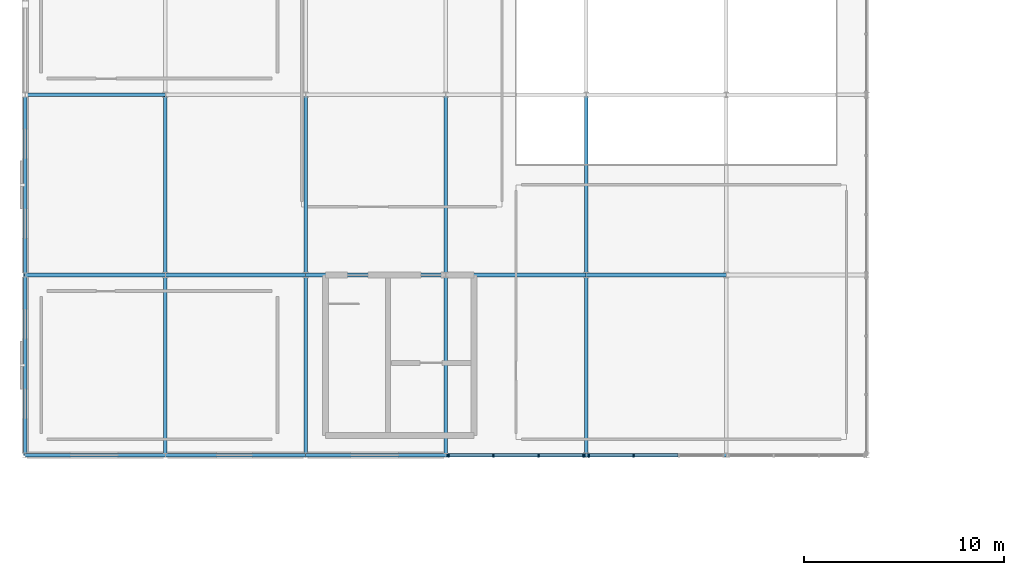
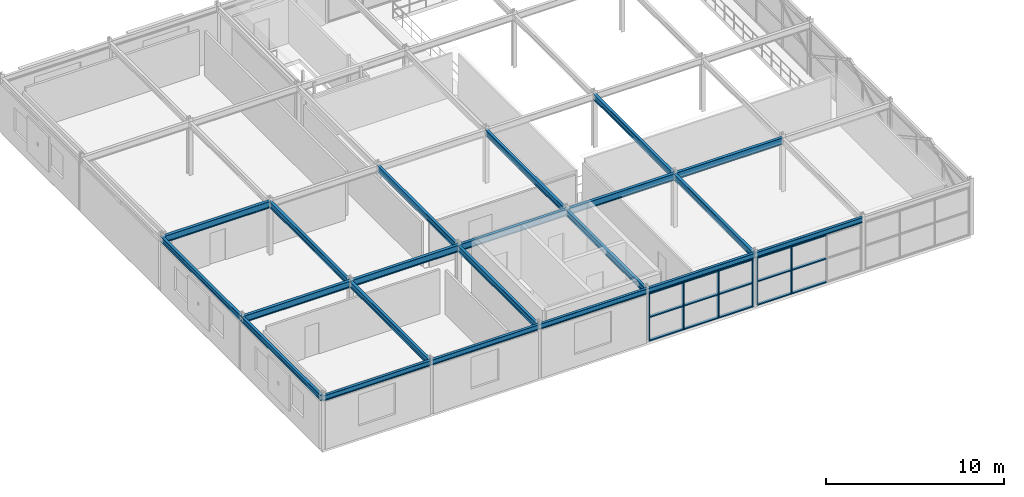
# One storey, part 38 of 98: 21 beams, 21 members, 2 elements without a shape of their own.
"""IFC4 building model written with IfcOpenShell, lengths in metres."""

from ifc_helpers import new_model, si_unit, derived_unit, direction, frame, origin, origin_2d_with_axis, place, context, subcontext, project, spatial, rectangle, i_section, extrude, material, material_profile, profile_set, type_object, element, aggregate, save


model = new_model("IFC4")

# Units and contexts
model_context = context("Model", 3, precision=1e-05, world=origin(), true_north=direction((0.0, 1.0)))
body_context = subcontext(model_context, "Body", "Model", "MODEL_VIEW")
ifc_project = project(units=[si_unit("LENGTHUNIT", "METRE"), si_unit("AREAUNIT", "SQUARE_METRE"), si_unit("VOLUMEUNIT", "CUBIC_METRE"), si_unit("PLANEANGLEUNIT", "RADIAN"), si_unit("MASSUNIT", "GRAM", prefix="KILO"), derived_unit("THERMALTRANSMITTANCEUNIT", [(si_unit("POWERUNIT", "WATT"), 1), (si_unit("LENGTHUNIT", "METRE"), -2), (si_unit("THERMODYNAMICTEMPERATUREUNIT", "KELVIN"), -1)])], contexts=[model_context])

# Site, building, storey
site_placement = place(None, origin())
site = spatial("IfcSite", under=ifc_project, at=site_placement, CompositionType="ELEMENT")
building_placement = place(site_placement, origin())
building = spatial("IfcBuilding", under=site, at=building_placement, Name="Cinnabar Yard Market Hall", CompositionType="ELEMENT")
storey_placement = place(building_placement, frame((0.0, 0.0, 4.5)))
storey = spatial("IfcBuildingStorey", under=building, at=storey_placement, Name="L01", CompositionType="ELEMENT", Elevation=4.5)

# Beams
ifc_material_1 = material(Name="Steel Grade 300 (300 MPa)", Category="steel")
ifc_material_profile_1 = material_profile(ifc_material_1, i_section(OverallWidth=0.18994140625, OverallDepth=0.453857421875, WebThickness=0.008544921875, FlangeThickness=0.0126953125, FilletRadius=0.011474609375, at=origin_2d_with_axis()), Name="460UB67.1")
ifc_profile_set_1 = profile_set([ifc_material_profile_1], Name="Steel Grade 300 (300 MPa)")
beam_type_1 = type_object("IfcBeamType", Name="BM-B05", PredefinedType="BEAM", material=ifc_profile_set_1)
for number, where, z_axis, x_axis, name in (
    (1, (10.0, 57.0, 3.423095703125), (1.0, 0.0, 0.0), (0.0, 1.0, 0.0), "V2 L01 Girder X 00708"),
    (2, (10.0, 66.0, 3.423095703125), (1.0, 0.0, 0.0), (0.0, 1.0, 0.0), "V2 L01 Girder X 00709"),
    (3, (17.0, 57.0, 3.423095703125), (1.0, 0.0, 0.0), (0.0, 1.0, 0.0), "V2 L01 Girder X 00713"),
    (4, (24.0, 57.0, 3.423095703125), (1.0, 0.0, 0.0), (0.0, 1.0, 0.0), "V2 L01 Girder X 00718"),
    (5, (31.0, 57.0, 3.423095703125), (1.0, 0.0, 0.0), (0.0, 1.0, 0.0), "V2 L01 Girder X 00723"),
    (6, (38.0, 57.0, 3.423095703125), (1.0, 0.0, 0.0), (0.0, 1.0, 0.0), "V2 L01 Girder X 00728"),
):
    element("IfcBeam", number, at=place(storey_placement, frame(where, z_axis=z_axis, x_axis=x_axis)), inside=storey, type_object=beam_type_1, Name=name, PredefinedType="BEAM", context=body_context, shape_type="SweptSolid", body=[
        extrude(i_section(OverallWidth=0.18994140625, OverallDepth=0.453857421875, WebThickness=0.008544921875, FlangeThickness=0.0126953125, FilletRadius=0.011474609375, at=origin_2d_with_axis()), origin(), (0.0, 0.0, 1.0), 7.0),
    ])
ifc_material_profile_2 = material_profile(ifc_material_1, i_section(OverallWidth=0.177978515625, OverallDepth=0.406494140625, WebThickness=0.0078125, FlangeThickness=0.0126953125, FilletRadius=0.011474609375, at=origin_2d_with_axis()), Name="410UB59.7")
ifc_profile_set_2 = profile_set([ifc_material_profile_2], Name="Steel Grade 300 (300 MPa)")
beam_type_2 = type_object("IfcBeamType", Name="BM-B06", PredefinedType="BEAM", material=ifc_profile_set_2)
for number, where, z_axis, x_axis, name in (
    (7, (17.0, 48.0, 3.44677734375), (0.0, 1.0, 0.0), (-1.0, 0.0, 0.0), "V2 L01 Girder Y 00741"),
    (8, (17.0, 57.0, 3.44677734375), (0.0, 1.0, 0.0), (-1.0, 0.0, 0.0), "V2 L01 Girder Y 00742"),
    (9, (24.0, 48.0, 3.44677734375), (0.0, 1.0, 0.0), (-1.0, 0.0, 0.0), "V2 L01 Girder Y 00745"),
    (10, (24.0, 57.0, 3.44677734375), (0.0, 1.0, 0.0), (-1.0, 0.0, 0.0), "V2 L01 Girder Y 00746"),
    (11, (31.0, 48.0, 3.44677734375), (0.0, 1.0, 0.0), (-1.0, 0.0, 0.0), "V2 L01 Girder Y 00749"),
    (12, (31.0, 57.0, 3.44677734375), (0.0, 1.0, 0.0), (-1.0, 0.0, 0.0), "V2 L01 Girder Y 00750"),
    (13, (38.0, 48.0, 3.44677734375), (0.0, 1.0, 0.0), (-1.0, 0.0, 0.0), "V2 L01 Girder Y 00753"),
    (14, (38.0, 57.0, 3.44677734375), (0.0, 1.0, 0.0), (-1.0, 0.0, 0.0), "V2 L01 Girder Y 00754"),
):
    element("IfcBeam", number, at=place(storey_placement, frame(where, z_axis=z_axis, x_axis=x_axis)), inside=storey, type_object=beam_type_2, Name=name, PredefinedType="BEAM", context=body_context, shape_type="SweptSolid", body=[
        extrude(i_section(OverallWidth=0.177978515625, OverallDepth=0.406494140625, WebThickness=0.0078125, FlangeThickness=0.0126953125, FilletRadius=0.011474609375, at=origin_2d_with_axis()), origin(), (0.0, 0.0, 1.0), 9.0),
    ])
ifc_material_profile_3 = material_profile(ifc_material_1, i_section(OverallWidth=0.172119140625, OverallDepth=0.358642578125, WebThickness=0.008056640625, FlangeThickness=0.012939453125, FilletRadius=0.011474609375, at=origin_2d_with_axis()), Name="360UB56.7")
ifc_profile_set_3 = profile_set([ifc_material_profile_3], Name="Steel Grade 300 (300 MPa)")
beam_type_3 = type_object("IfcBeamType", Name="BM-SP02E", PredefinedType="SPANDREL", material=ifc_profile_set_3)
for number, where, z_axis, x_axis, name in (
    (15, (10.0, 48.0, 3.470703125), (1.0, 0.0, 0.0), (0.0, 1.0, 0.0), "V2 L01 Girder X 00707"),
    (16, (17.0, 48.0, 3.470703125), (1.0, 0.0, 0.0), (0.0, 1.0, 0.0), "V2 L01 Girder X 00712"),
    (17, (24.0, 48.0, 3.470703125), (1.0, 0.0, 0.0), (0.0, 1.0, 0.0), "V2 L01 Girder X 00717"),
    (18, (31.0, 48.0, 3.470703125), (1.0, 0.0, 0.0), (0.0, 1.0, 0.0), "V2 L01 Girder X 00722"),
    (19, (38.0, 48.0, 3.470703125), (1.0, 0.0, 0.0), (0.0, 1.0, 0.0), "V2 L01 Girder X 00727"),
):
    element("IfcBeam", number, at=place(storey_placement, frame(where, z_axis=z_axis, x_axis=x_axis)), inside=storey, type_object=beam_type_3, Name=name, PredefinedType="SPANDREL", context=body_context, shape_type="SweptSolid", body=[
        extrude(i_section(OverallWidth=0.172119140625, OverallDepth=0.358642578125, WebThickness=0.008056640625, FlangeThickness=0.012939453125, FilletRadius=0.011474609375, at=origin_2d_with_axis()), origin(), (0.0, 0.0, 1.0), 7.0),
    ])
for number, where, z_axis, x_axis, name in (
    (20, (10.0, 48.0, 3.470703125), (0.0, 1.0, 0.0), (-1.0, 0.0, 0.0), "V2 L01 Girder Y 00737"),
    (21, (10.0, 57.0, 3.470703125), (0.0, 1.0, 0.0), (-1.0, 0.0, 0.0), "V2 L01 Girder Y 00738"),
):
    element("IfcBeam", number, at=place(storey_placement, frame(where, z_axis=z_axis, x_axis=x_axis)), inside=storey, type_object=beam_type_3, Name=name, PredefinedType="SPANDREL", context=body_context, shape_type="SweptSolid", body=[
        extrude(i_section(OverallWidth=0.172119140625, OverallDepth=0.358642578125, WebThickness=0.008056640625, FlangeThickness=0.012939453125, FilletRadius=0.011474609375, at=origin_2d_with_axis()), origin(), (0.0, 0.0, 1.0), 9.0),
    ])

# Curtain wall, members
ifc_material_2 = material(Name="Anodised bronze aluminium courtyard facade", Category="aluminium")
curtain_wall_type = type_object("IfcCurtainWallType", Name="CW-CWF068x33", PredefinedType="NOTDEFINED", material=ifc_material_2)
curtain_wall_1_placement = place(storey_placement, origin())
curtain_wall_1 = element("IfcCurtainWall", 22, at=curtain_wall_1_placement, inside=storey, type_object=curtain_wall_type, Name="Pavilion South Glazed Arcade L01 Bay 4", PredefinedType="NOTDEFINED")
ifc_material_3 = material(Name="Anodised bronze aluminium", Category="aluminium")
ifc_material_profile_4 = material_profile(ifc_material_3, rectangle(XDim=0.179931640625, YDim=0.074951171875, at=origin_2d_with_axis()), Name="MUL-CWF")
ifc_profile_set_4 = profile_set([ifc_material_profile_4], Name="Anodised bronze aluminium")
member_type_1 = type_object("IfcMemberType", Name="CWM-CWF", PredefinedType="MULLION", material=ifc_profile_set_4)
member_1_placement = place(storey_placement, frame((31.137451171875, 48.0, 0.0), z_axis=(0.0, 0.0, 1.0), x_axis=(0.0, 1.0, 0.0)))
member_1 = element("IfcMember", 23, at=member_1_placement, type_object=member_type_1, Name="CWF068x33 mullion 1", PredefinedType="MULLION", context=body_context, shape_type="SweptSolid", body=[
    extrude(rectangle(XDim=0.179931640625, YDim=0.074951171875, at=origin_2d_with_axis()), origin(), (0.0, 0.0, 1.0), 3.2900390625),
])
member_2_placement = place(storey_placement, frame((33.36669921875, 48.0, 0.0), z_axis=(0.0, 0.0, 1.0), x_axis=(0.0, 1.0, 0.0)))
member_2 = element("IfcMember", 24, at=member_2_placement, type_object=member_type_1, Name="CWF068x33 mullion 2", PredefinedType="MULLION", context=body_context, shape_type="SweptSolid", body=[
    extrude(rectangle(XDim=0.179931640625, YDim=0.074951171875, at=origin_2d_with_axis()), origin(), (0.0, 0.0, 1.0), 3.2900390625),
])
member_3_placement = place(storey_placement, frame((35.63330078125, 48.0, 0.0), z_axis=(0.0, 0.0, 1.0), x_axis=(0.0, 1.0, 0.0)))
member_3 = element("IfcMember", 25, at=member_3_placement, type_object=member_type_1, Name="CWF068x33 mullion 3", PredefinedType="MULLION", context=body_context, shape_type="SweptSolid", body=[
    extrude(rectangle(XDim=0.179931640625, YDim=0.074951171875, at=origin_2d_with_axis()), origin(), (0.0, 0.0, 1.0), 3.2900390625),
])
member_4_placement = place(storey_placement, frame((37.862548828125, 48.0, 0.0), z_axis=(0.0, 0.0, 1.0), x_axis=(0.0, 1.0, 0.0)))
member_4 = element("IfcMember", 26, at=member_4_placement, type_object=member_type_1, Name="CWF068x33 mullion 4", PredefinedType="MULLION", context=body_context, shape_type="SweptSolid", body=[
    extrude(rectangle(XDim=0.179931640625, YDim=0.074951171875, at=origin_2d_with_axis()), origin(), (0.0, 0.0, 1.0), 3.2900390625),
])

curtain_wall_2_placement = place(storey_placement, origin())
curtain_wall_2 = element("IfcCurtainWall", 27, at=curtain_wall_2_placement, inside=storey, type_object=curtain_wall_type, Name="Pavilion South Glazed Arcade L01 Bay 5", PredefinedType="NOTDEFINED")
member_5_placement = place(storey_placement, frame((38.137451171875, 48.0, 0.0), z_axis=(0.0, 0.0, 1.0), x_axis=(0.0, 1.0, 0.0)))
member_5 = element("IfcMember", 28, at=member_5_placement, type_object=member_type_1, Name="CWF068x33 mullion 1", PredefinedType="MULLION", context=body_context, shape_type="SweptSolid", body=[
    extrude(rectangle(XDim=0.179931640625, YDim=0.074951171875, at=origin_2d_with_axis()), origin(), (0.0, 0.0, 1.0), 3.2900390625),
])
member_6_placement = place(storey_placement, frame((40.36669921875, 48.0, 0.0), z_axis=(0.0, 0.0, 1.0), x_axis=(0.0, 1.0, 0.0)))
member_6 = element("IfcMember", 29, at=member_6_placement, type_object=member_type_1, Name="CWF068x33 mullion 2", PredefinedType="MULLION", context=body_context, shape_type="SweptSolid", body=[
    extrude(rectangle(XDim=0.179931640625, YDim=0.074951171875, at=origin_2d_with_axis()), origin(), (0.0, 0.0, 1.0), 3.2900390625),
])

# Member
ifc_material_profile_5 = material_profile(ifc_material_3, rectangle(XDim=0.179931640625, YDim=0.074951171875, at=origin_2d_with_axis()), Name="TRN-CWF")
ifc_profile_set_5 = profile_set([ifc_material_profile_5], Name="Anodised bronze aluminium")
member_type_2 = type_object("IfcMemberType", Name="CWT-CWF", PredefinedType="USERDEFINED", material=ifc_profile_set_5)
member_7_placement = place(storey_placement, frame((31.175048828125, 48.0, 0.03759765625), z_axis=(1.0, 0.0, 0.0), x_axis=(0.0, 1.0, 0.0)))
member_7 = element("IfcMember", 30, at=member_7_placement, type_object=member_type_2, Name="CWF068x33 transom 1.1", ObjectType="TRANSOM", PredefinedType="USERDEFINED", context=body_context, shape_type="SweptSolid", body=[
    extrude(rectangle(XDim=0.179931640625, YDim=0.074951171875, at=origin_2d_with_axis()), origin(), (0.0, 0.0, 1.0), 2.154052734375),
])

member_8_placement = place(storey_placement, frame((31.175048828125, 48.0, 1.64501953125), z_axis=(1.0, 0.0, 0.0), x_axis=(0.0, 1.0, 0.0)))
member_8 = element("IfcMember", 31, at=member_8_placement, type_object=member_type_2, Name="CWF068x33 transom 1.2", ObjectType="TRANSOM", PredefinedType="USERDEFINED", context=body_context, shape_type="SweptSolid", body=[
    extrude(rectangle(XDim=0.179931640625, YDim=0.074951171875, at=origin_2d_with_axis()), origin(), (0.0, 0.0, 1.0), 2.154052734375),
])

member_9_placement = place(storey_placement, frame((31.175048828125, 48.0, 3.25244140625), z_axis=(1.0, 0.0, 0.0), x_axis=(0.0, 1.0, 0.0)))
member_9 = element("IfcMember", 32, at=member_9_placement, type_object=member_type_2, Name="CWF068x33 transom 1.3", ObjectType="TRANSOM", PredefinedType="USERDEFINED", context=body_context, shape_type="SweptSolid", body=[
    extrude(rectangle(XDim=0.179931640625, YDim=0.074951171875, at=origin_2d_with_axis()), origin(), (0.0, 0.0, 1.0), 2.154052734375),
])

member_10_placement = place(storey_placement, frame((33.404052734375, 48.0, 0.03759765625), z_axis=(1.0, 0.0, 0.0), x_axis=(0.0, 1.0, 0.0)))
member_10 = element("IfcMember", 33, at=member_10_placement, type_object=member_type_2, Name="CWF068x33 transom 2.1", ObjectType="TRANSOM", PredefinedType="USERDEFINED", context=body_context, shape_type="SweptSolid", body=[
    extrude(rectangle(XDim=0.179931640625, YDim=0.074951171875, at=origin_2d_with_axis()), origin(), (0.0, 0.0, 1.0), 2.19189453125),
])

member_11_placement = place(storey_placement, frame((33.404052734375, 48.0, 1.64501953125), z_axis=(1.0, 0.0, 0.0), x_axis=(0.0, 1.0, 0.0)))
member_11 = element("IfcMember", 34, at=member_11_placement, type_object=member_type_2, Name="CWF068x33 transom 2.2", ObjectType="TRANSOM", PredefinedType="USERDEFINED", context=body_context, shape_type="SweptSolid", body=[
    extrude(rectangle(XDim=0.179931640625, YDim=0.074951171875, at=origin_2d_with_axis()), origin(), (0.0, 0.0, 1.0), 2.19189453125),
])

member_12_placement = place(storey_placement, frame((33.404052734375, 48.0, 3.25244140625), z_axis=(1.0, 0.0, 0.0), x_axis=(0.0, 1.0, 0.0)))
member_12 = element("IfcMember", 35, at=member_12_placement, type_object=member_type_2, Name="CWF068x33 transom 2.3", ObjectType="TRANSOM", PredefinedType="USERDEFINED", context=body_context, shape_type="SweptSolid", body=[
    extrude(rectangle(XDim=0.179931640625, YDim=0.074951171875, at=origin_2d_with_axis()), origin(), (0.0, 0.0, 1.0), 2.19189453125),
])

member_13_placement = place(storey_placement, frame((35.6708984375, 48.0, 0.03759765625), z_axis=(1.0, 0.0, 0.0), x_axis=(0.0, 1.0, 0.0)))
member_13 = element("IfcMember", 36, at=member_13_placement, type_object=member_type_2, Name="CWF068x33 transom 3.1", ObjectType="TRANSOM", PredefinedType="USERDEFINED", context=body_context, shape_type="SweptSolid", body=[
    extrude(rectangle(XDim=0.179931640625, YDim=0.074951171875, at=origin_2d_with_axis()), origin(), (0.0, 0.0, 1.0), 2.154052734375),
])

member_14_placement = place(storey_placement, frame((35.6708984375, 48.0, 1.64501953125), z_axis=(1.0, 0.0, 0.0), x_axis=(0.0, 1.0, 0.0)))
member_14 = element("IfcMember", 37, at=member_14_placement, type_object=member_type_2, Name="CWF068x33 transom 3.2", ObjectType="TRANSOM", PredefinedType="USERDEFINED", context=body_context, shape_type="SweptSolid", body=[
    extrude(rectangle(XDim=0.179931640625, YDim=0.074951171875, at=origin_2d_with_axis()), origin(), (0.0, 0.0, 1.0), 2.154052734375),
])

member_15_placement = place(storey_placement, frame((35.6708984375, 48.0, 3.25244140625), z_axis=(1.0, 0.0, 0.0), x_axis=(0.0, 1.0, 0.0)))
member_15 = element("IfcMember", 38, at=member_15_placement, type_object=member_type_2, Name="CWF068x33 transom 3.3", ObjectType="TRANSOM", PredefinedType="USERDEFINED", context=body_context, shape_type="SweptSolid", body=[
    extrude(rectangle(XDim=0.179931640625, YDim=0.074951171875, at=origin_2d_with_axis()), origin(), (0.0, 0.0, 1.0), 2.154052734375),
])

aggregate(curtain_wall_1, [member_1, member_2, member_3, member_4, member_7, member_8, member_9, member_10, member_11, member_12, member_13, member_14, member_15])

member_16_placement = place(storey_placement, frame((38.175048828125, 48.0, 0.03759765625), z_axis=(1.0, 0.0, 0.0), x_axis=(0.0, 1.0, 0.0)))
member_16 = element("IfcMember", 39, at=member_16_placement, type_object=member_type_2, Name="CWF068x33 transom 1.1", ObjectType="TRANSOM", PredefinedType="USERDEFINED", context=body_context, shape_type="SweptSolid", body=[
    extrude(rectangle(XDim=0.179931640625, YDim=0.074951171875, at=origin_2d_with_axis()), origin(), (0.0, 0.0, 1.0), 2.154052734375),
])

member_17_placement = place(storey_placement, frame((38.175048828125, 48.0, 1.64501953125), z_axis=(1.0, 0.0, 0.0), x_axis=(0.0, 1.0, 0.0)))
member_17 = element("IfcMember", 40, at=member_17_placement, type_object=member_type_2, Name="CWF068x33 transom 1.2", ObjectType="TRANSOM", PredefinedType="USERDEFINED", context=body_context, shape_type="SweptSolid", body=[
    extrude(rectangle(XDim=0.179931640625, YDim=0.074951171875, at=origin_2d_with_axis()), origin(), (0.0, 0.0, 1.0), 2.154052734375),
])

member_18_placement = place(storey_placement, frame((38.175048828125, 48.0, 3.25244140625), z_axis=(1.0, 0.0, 0.0), x_axis=(0.0, 1.0, 0.0)))
member_18 = element("IfcMember", 41, at=member_18_placement, type_object=member_type_2, Name="CWF068x33 transom 1.3", ObjectType="TRANSOM", PredefinedType="USERDEFINED", context=body_context, shape_type="SweptSolid", body=[
    extrude(rectangle(XDim=0.179931640625, YDim=0.074951171875, at=origin_2d_with_axis()), origin(), (0.0, 0.0, 1.0), 2.154052734375),
])

member_19_placement = place(storey_placement, frame((40.404052734375, 48.0, 0.03759765625), z_axis=(1.0, 0.0, 0.0), x_axis=(0.0, 1.0, 0.0)))
member_19 = element("IfcMember", 42, at=member_19_placement, type_object=member_type_2, Name="CWF068x33 transom 2.1", ObjectType="TRANSOM", PredefinedType="USERDEFINED", context=body_context, shape_type="SweptSolid", body=[
    extrude(rectangle(XDim=0.179931640625, YDim=0.074951171875, at=origin_2d_with_axis()), origin(), (0.0, 0.0, 1.0), 2.19189453125),
])

member_20_placement = place(storey_placement, frame((40.404052734375, 48.0, 1.64501953125), z_axis=(1.0, 0.0, 0.0), x_axis=(0.0, 1.0, 0.0)))
member_20 = element("IfcMember", 43, at=member_20_placement, type_object=member_type_2, Name="CWF068x33 transom 2.2", ObjectType="TRANSOM", PredefinedType="USERDEFINED", context=body_context, shape_type="SweptSolid", body=[
    extrude(rectangle(XDim=0.179931640625, YDim=0.074951171875, at=origin_2d_with_axis()), origin(), (0.0, 0.0, 1.0), 2.19189453125),
])

member_21_placement = place(storey_placement, frame((40.404052734375, 48.0, 3.25244140625), z_axis=(1.0, 0.0, 0.0), x_axis=(0.0, 1.0, 0.0)))
member_21 = element("IfcMember", 44, at=member_21_placement, type_object=member_type_2, Name="CWF068x33 transom 2.3", ObjectType="TRANSOM", PredefinedType="USERDEFINED", context=body_context, shape_type="SweptSolid", body=[
    extrude(rectangle(XDim=0.179931640625, YDim=0.074951171875, at=origin_2d_with_axis()), origin(), (0.0, 0.0, 1.0), 2.19189453125),
])

aggregate(curtain_wall_2, [member_5, member_6, member_16, member_17, member_18, member_19, member_20, member_21])

save(model, "model.ifc")
